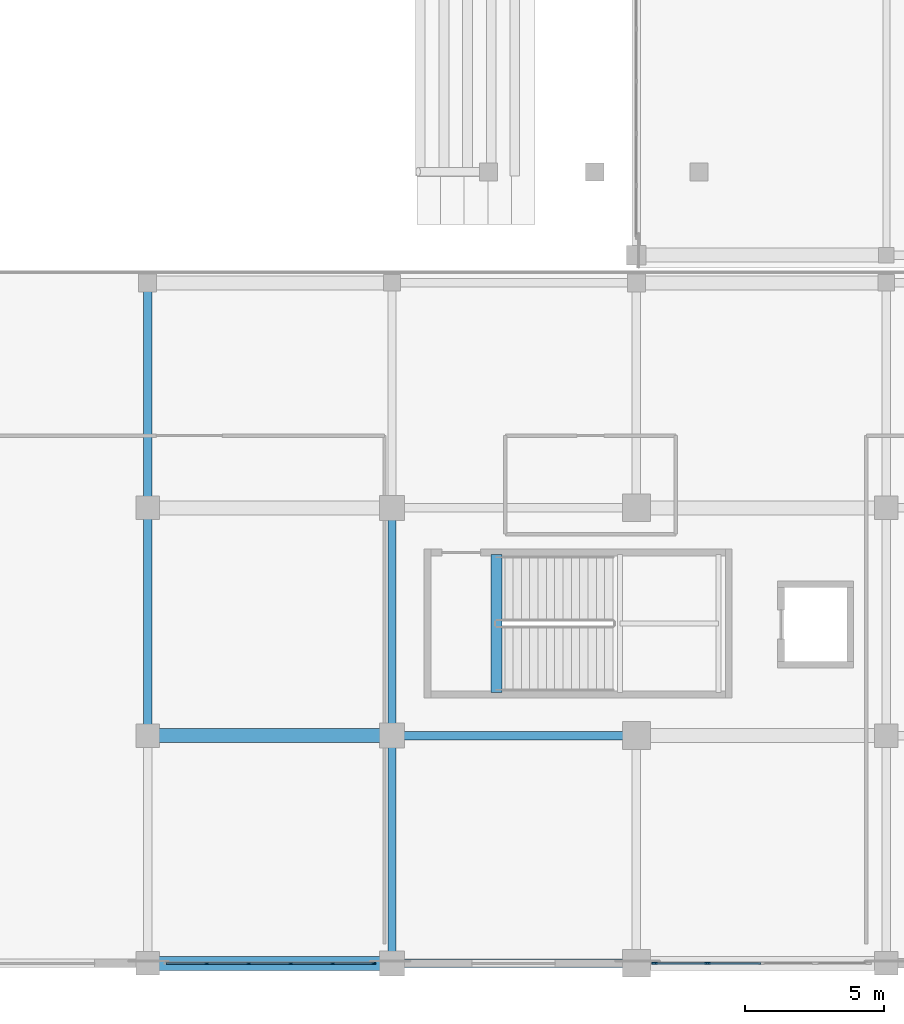
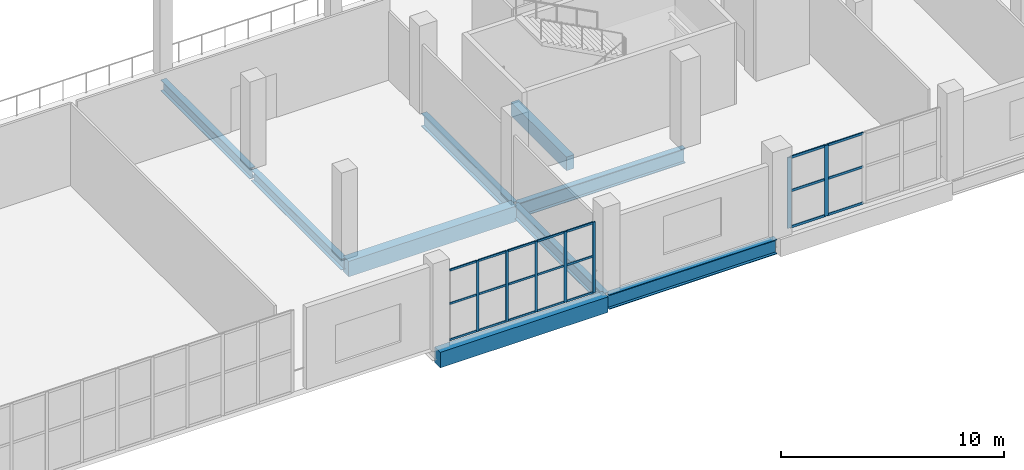
# One storey, part 40 of 142: 28 members, 9 beams, 2 elements without a shape of their own.
"""IFC4 building model written with IfcOpenShell, lengths in metres."""

from ifc_helpers import new_model, si_unit, direction, frame, origin, origin_2d, place, context, subcontext, project, spatial, rectangle, i_section, extrude, material, material_profile, profile_set, type_object, element, aggregate, save


model = new_model("IFC4")

# Units and contexts
model_context = context("Model", 3, precision=1e-05, world=origin(), true_north=direction((0.0, 1.0)))
body_context = subcontext(model_context, "Body", "Model", "MODEL_VIEW")
ifc_project = project(units=[si_unit("LENGTHUNIT", "METRE"), si_unit("AREAUNIT", "SQUARE_METRE"), si_unit("VOLUMEUNIT", "CUBIC_METRE"), si_unit("PLANEANGLEUNIT", "RADIAN"), si_unit("MASSUNIT", "GRAM", prefix="KILO")], contexts=[model_context])

# Site, building, storey
site_placement = place(None, origin())
site = spatial("IfcSite", under=ifc_project, at=site_placement, CompositionType="ELEMENT")
building_placement = place(site_placement, origin())
building = spatial("IfcBuilding", under=site, at=building_placement, Name="Koshinbarg Plaza Stadium", CompositionType="ELEMENT")
storey_placement = place(building_placement, frame((0.0, 0.0, 10.199951171875)))
storey = spatial("IfcBuildingStorey", under=building, at=storey_placement, Name="L02", CompositionType="ELEMENT", Elevation=10.199951171875)

# Beams
ifc_material_1 = material(Name="Concrete C40/50", Category="concrete")
ifc_material_profile_1 = material_profile(ifc_material_1, rectangle(XDim=0.39990234375, YDim=0.75, at=origin_2d()), Name="RC 400x750")
ifc_profile_set_1 = profile_set([ifc_material_profile_1], Name="Concrete C40/50")
beam_type_1 = type_object("IfcBeamType", Name="BM-RCG-03", PredefinedType="USERDEFINED", material=ifc_profile_set_1)
beam_1_placement = place(storey_placement, frame((175.360107421875, 9.75, -0.375), z_axis=(0.0, 1.0, 0.0), x_axis=(-1.0, 0.0, 0.0)))
element("IfcBeam", 1, at=beam_1_placement, inside=storey, type_object=beam_type_1, Name="L02 stair landing header beam C14", ObjectType="GIRDER", PredefinedType="USERDEFINED", context=body_context, shape_type="SweptSolid", body=[
    extrude(rectangle(XDim=0.39990234375, YDim=0.75, at=origin_2d()), origin(), (0.0, 0.0, 1.0), 4.969970703125),
])
ifc_material_profile_2 = material_profile(ifc_material_1, rectangle(XDim=0.5, YDim=0.85009765625, at=origin_2d()), Name="RC 500x850")
ifc_profile_set_2 = profile_set([ifc_material_profile_2], Name="Concrete C40/50")
beam_type_2 = type_object("IfcBeamType", Name="BM-RCG-05", PredefinedType="USERDEFINED", material=ifc_profile_set_2)
for number, where, z_axis, x_axis, name in (
    (2, (162.860107421875, 0.0, -0.724853515625), (1.0, 0.0, 0.0), (0.0, 1.0, 0.0), "L02 X girder A/15-16"),
    (3, (162.860107421875, 8.199951171875, -0.724853515625), (1.0, 0.0, 0.0), (0.0, 1.0, 0.0), "L02 X girder B/15-16"),
):
    element("IfcBeam", number, at=place(storey_placement, frame(where, z_axis=z_axis, x_axis=x_axis)), inside=storey, type_object=beam_type_2, Name=name, ObjectType="GIRDER", PredefinedType="USERDEFINED", context=body_context, shape_type="SweptSolid", body=[
        extrude(rectangle(XDim=0.5, YDim=0.85009765625, at=origin_2d()), origin(), (0.0, 0.0, 1.0), 8.679931640625),
    ])
ifc_material_2 = material(Name="Steel S355", Category="steel")
ifc_material_profile_3 = material_profile(ifc_material_2, i_section(OverallWidth=0.300048828125, OverallDepth=0.60009765625, WebThickness=0.015380859375, FlangeThickness=0.030029296875, at=origin_2d()), Name="HEB 600")
ifc_profile_set_3 = profile_set([ifc_material_profile_3], Name="Steel S355")
beam_type_3 = type_object("IfcBeamType", Name="BM-SGIR-02", PredefinedType="USERDEFINED", material=ifc_profile_set_3)
beam_2_placement = place(storey_placement, frame((162.800048828125, 8.260009765625, -0.599853515625), z_axis=(0.0, 1.0, 0.0), x_axis=(-1.0, 0.0, 0.0)))
element("IfcBeam", 4, at=beam_2_placement, inside=storey, type_object=beam_type_3, Name="L02 Y girder 15/B-C", ObjectType="GIRDER", PredefinedType="USERDEFINED", context=body_context, shape_type="SweptSolid", body=[
    extrude(i_section(OverallWidth=0.300048828125, OverallDepth=0.60009765625, WebThickness=0.015380859375, FlangeThickness=0.030029296875, at=origin_2d()), origin(), (0.0, 0.0, 1.0), 8.080078125),
])
beam_3_placement = place(storey_placement, frame((162.800048828125, 16.4599609375, -0.599853515625), z_axis=(0.0, 1.0, 0.0), x_axis=(-1.0, 0.0, 0.0)))
element("IfcBeam", 5, at=beam_3_placement, inside=storey, type_object=beam_type_3, Name="L02 Y girder 15/C-D", ObjectType="GIRDER", PredefinedType="USERDEFINED", context=body_context, shape_type="SweptSolid", body=[
    extrude(i_section(OverallWidth=0.300048828125, OverallDepth=0.60009765625, WebThickness=0.015380859375, FlangeThickness=0.030029296875, at=origin_2d()), origin(), (0.0, 0.0, 1.0), 7.97998046875),
])
ifc_material_profile_4 = material_profile(ifc_material_2, i_section(OverallWidth=0.300048828125, OverallDepth=0.699951171875, WebThickness=0.01708984375, FlangeThickness=0.031982421875, at=origin_2d()), Name="HEB 700")
ifc_profile_set_4 = profile_set([ifc_material_profile_4], Name="Steel S355")
beam_type_4 = type_object("IfcBeamType", Name="BM-SGIR-03", PredefinedType="USERDEFINED", material=ifc_profile_set_4)
beam_4_placement = place(storey_placement, frame((171.60009765625, 0.06005859375, -0.64990234375), z_axis=(0.0, 1.0, 0.0), x_axis=(-1.0, 0.0, 0.0)))
element("IfcBeam", 6, at=beam_4_placement, inside=storey, type_object=beam_type_4, Name="L02 Y girder 16/A-B", ObjectType="GIRDER", PredefinedType="USERDEFINED", context=body_context, shape_type="SweptSolid", body=[
    extrude(i_section(OverallWidth=0.300048828125, OverallDepth=0.699951171875, WebThickness=0.01708984375, FlangeThickness=0.031982421875, at=origin_2d()), origin(), (0.0, 0.0, 1.0), 8.079833984375),
])
beam_5_placement = place(storey_placement, frame((171.60009765625, 8.260009765625, -0.64990234375), z_axis=(0.0, 1.0, 0.0), x_axis=(-1.0, 0.0, 0.0)))
element("IfcBeam", 7, at=beam_5_placement, inside=storey, type_object=beam_type_4, Name="L02 Y girder 16/B-C", ObjectType="GIRDER", PredefinedType="USERDEFINED", context=body_context, shape_type="SweptSolid", body=[
    extrude(i_section(OverallWidth=0.300048828125, OverallDepth=0.699951171875, WebThickness=0.01708984375, FlangeThickness=0.031982421875, at=origin_2d()), origin(), (0.0, 0.0, 1.0), 8.080078125),
])
ifc_material_profile_5 = material_profile(ifc_material_2, i_section(OverallWidth=0.300048828125, OverallDepth=0.800048828125, WebThickness=0.017578125, FlangeThickness=0.032958984375, at=origin_2d()), Name="HEB 800")
ifc_profile_set_5 = profile_set([ifc_material_profile_5], Name="Steel S355")
beam_type_5 = type_object("IfcBeamType", Name="BM-SGIR-04", PredefinedType="USERDEFINED", material=ifc_profile_set_5)
for number, where, z_axis, x_axis, name in (
    (8, (171.659912109375, 0.0, -0.699951171875), (1.0, 0.0, 0.0), (0.0, 1.0, 0.0), "L02 X girder A/16-17"),
    (9, (171.659912109375, 8.199951171875, -0.699951171875), (1.0, 0.0, 0.0), (0.0, 1.0, 0.0), "L02 X girder B/16-17"),
):
    element("IfcBeam", number, at=place(storey_placement, frame(where, z_axis=z_axis, x_axis=x_axis)), inside=storey, type_object=beam_type_5, Name=name, ObjectType="GIRDER", PredefinedType="USERDEFINED", context=body_context, shape_type="SweptSolid", body=[
        extrude(i_section(OverallWidth=0.300048828125, OverallDepth=0.800048828125, WebThickness=0.017578125, FlangeThickness=0.032958984375, at=origin_2d()), origin(), (0.0, 0.0, 1.0), 8.68017578125),
    ])

# Curtain wall, members
ifc_material_3 = material(Name="Thermally broken anodised aluminium and low-E double glazing", Category="aluminium")
curtain_wall_type_1 = type_object("IfcCurtainWallType", Name="CW-SYS-01", PredefinedType="NOTDEFINED", material=ifc_material_3)
curtain_wall_1_placement = place(storey_placement, origin())
curtain_wall_1 = element("IfcCurtainWall", 10, at=curtain_wall_1_placement, inside=storey, type_object=curtain_wall_type_1, Name="L02 unitised curtain wall CW-L02-064", PredefinedType="NOTDEFINED")
ifc_material_4 = material(Name="Anodised aluminium mullion", Category="aluminium")
ifc_material_profile_6 = material_profile(ifc_material_4, rectangle(XDim=0.06005859375, YDim=0.139892578125, at=origin_2d()), Name="ALU 60x140")
ifc_profile_set_6 = profile_set([ifc_material_profile_6], Name="Anodised aluminium mullion")
member_type_1 = type_object("IfcMemberType", Name="CW-MUL-01", PredefinedType="MULLION", material=ifc_profile_set_6)
member_1_placement = place(storey_placement, frame((170.949951171875, 0.0, 0.0), z_axis=(0.0, 0.0, 1.0), x_axis=(0.0, -1.0, 0.0)))
member_1 = element("IfcMember", 11, at=member_1_placement, type_object=member_type_1, Name="CW01 mullion 1", PredefinedType="MULLION", context=body_context, shape_type="SweptSolid", body=[
    extrude(rectangle(XDim=0.06005859375, YDim=0.139892578125, at=origin_2d()), origin(), (0.0, 0.0, 1.0), 3.860107421875),
])
member_2_placement = place(storey_placement, frame((169.468017578125, 0.0, 0.0), z_axis=(0.0, 0.0, 1.0), x_axis=(0.0, -1.0, 0.0)))
member_2 = element("IfcMember", 12, at=member_2_placement, type_object=member_type_1, Name="CW01 mullion 2", PredefinedType="MULLION", context=body_context, shape_type="SweptSolid", body=[
    extrude(rectangle(XDim=0.06005859375, YDim=0.139892578125, at=origin_2d()), origin(), (0.0, 0.0, 1.0), 3.860107421875),
])
member_3_placement = place(storey_placement, frame((167.9560546875, 0.0, 0.0), z_axis=(0.0, 0.0, 1.0), x_axis=(0.0, -1.0, 0.0)))
member_3 = element("IfcMember", 13, at=member_3_placement, type_object=member_type_1, Name="CW01 mullion 3", PredefinedType="MULLION", context=body_context, shape_type="SweptSolid", body=[
    extrude(rectangle(XDim=0.06005859375, YDim=0.139892578125, at=origin_2d()), origin(), (0.0, 0.0, 1.0), 3.860107421875),
])
member_4_placement = place(storey_placement, frame((166.444091796875, 0.0, 0.0), z_axis=(0.0, 0.0, 1.0), x_axis=(0.0, -1.0, 0.0)))
member_4 = element("IfcMember", 14, at=member_4_placement, type_object=member_type_1, Name="CW01 mullion 4", PredefinedType="MULLION", context=body_context, shape_type="SweptSolid", body=[
    extrude(rectangle(XDim=0.06005859375, YDim=0.139892578125, at=origin_2d()), origin(), (0.0, 0.0, 1.0), 3.860107421875),
])
member_5_placement = place(storey_placement, frame((164.931884765625, 0.0, 0.0), z_axis=(0.0, 0.0, 1.0), x_axis=(0.0, -1.0, 0.0)))
member_5 = element("IfcMember", 15, at=member_5_placement, type_object=member_type_1, Name="CW01 mullion 5", PredefinedType="MULLION", context=body_context, shape_type="SweptSolid", body=[
    extrude(rectangle(XDim=0.06005859375, YDim=0.139892578125, at=origin_2d()), origin(), (0.0, 0.0, 1.0), 3.860107421875),
])

curtain_wall_type_2 = type_object("IfcCurtainWallType", Name="CW-SYS-16", PredefinedType="NOTDEFINED", material=ifc_material_3)
curtain_wall_2_placement = place(storey_placement, origin())
curtain_wall_2 = element("IfcCurtainWall", 16, at=curtain_wall_2_placement, inside=storey, type_object=curtain_wall_type_2, Name="L02 unitised curtain wall CW-L02-063", PredefinedType="NOTDEFINED")
ifc_material_profile_7 = material_profile(ifc_material_4, rectangle(XDim=0.070068359375, YDim=0.199951171875, at=origin_2d()), Name="ALU 70x200")
ifc_profile_set_7 = profile_set([ifc_material_profile_7], Name="Anodised aluminium mullion")
member_type_2 = type_object("IfcMemberType", Name="CW-MUL-04", PredefinedType="MULLION", material=ifc_profile_set_7)
member_6_placement = place(storey_placement, frame((182.9599609375, 0.0, 0.0), z_axis=(0.0, 0.0, 1.0), x_axis=(0.0, -1.0, 0.0)))
member_6 = element("IfcMember", 17, at=member_6_placement, type_object=member_type_2, Name="CW16 mullion 4", PredefinedType="MULLION", context=body_context, shape_type="SweptSolid", body=[
    extrude(rectangle(XDim=0.070068359375, YDim=0.199951171875, at=origin_2d()), origin(), (0.0, 0.0, 1.0), 3.860107421875),
])
member_7_placement = place(storey_placement, frame((181.050048828125, 0.0, 0.0), z_axis=(0.0, 0.0, 1.0), x_axis=(0.0, -1.0, 0.0)))
member_7 = element("IfcMember", 18, at=member_7_placement, type_object=member_type_2, Name="CW16 mullion 5", PredefinedType="MULLION", context=body_context, shape_type="SweptSolid", body=[
    extrude(rectangle(XDim=0.070068359375, YDim=0.199951171875, at=origin_2d()), origin(), (0.0, 0.0, 1.0), 3.860107421875),
])

# Member
ifc_material_5 = material(Name="Anodised aluminium transom", Category="aluminium")
ifc_material_profile_8 = material_profile(ifc_material_5, rectangle(XDim=0.06005859375, YDim=0.110107421875, at=origin_2d()), Name="ALU 60x110")
ifc_profile_set_8 = profile_set([ifc_material_profile_8], Name="Anodised aluminium transom")
member_type_3 = type_object("IfcMemberType", Name="CW-TRN-01", PredefinedType="USERDEFINED", material=ifc_profile_set_8)
member_8_placement = place(storey_placement, frame((170.919921875, 0.0, 0.030029296875), z_axis=(-1.0, 0.0, 0.0), x_axis=(0.0, -1.0, 0.0)))
member_8 = element("IfcMember", 19, at=member_8_placement, type_object=member_type_3, Name="CW01 transom 1.1", ObjectType="TRANSOM", PredefinedType="USERDEFINED", context=body_context, shape_type="SweptSolid", body=[
    extrude(rectangle(XDim=0.06005859375, YDim=0.110107421875, at=origin_2d()), origin(), (0.0, 0.0, 1.0), 1.421875),
])

member_9_placement = place(storey_placement, frame((170.919921875, 0.0, 2.00732421875), z_axis=(-1.0, 0.0, 0.0), x_axis=(0.0, -1.0, 0.0)))
member_9 = element("IfcMember", 20, at=member_9_placement, type_object=member_type_3, Name="CW01 transom 1.2", ObjectType="TRANSOM", PredefinedType="USERDEFINED", context=body_context, shape_type="SweptSolid", body=[
    extrude(rectangle(XDim=0.06005859375, YDim=0.110107421875, at=origin_2d()), origin(), (0.0, 0.0, 1.0), 1.421875),
])

member_10_placement = place(storey_placement, frame((170.919921875, 0.0, 3.830078125), z_axis=(-1.0, 0.0, 0.0), x_axis=(0.0, -1.0, 0.0)))
member_10 = element("IfcMember", 21, at=member_10_placement, type_object=member_type_3, Name="CW01 transom 1.3", ObjectType="TRANSOM", PredefinedType="USERDEFINED", context=body_context, shape_type="SweptSolid", body=[
    extrude(rectangle(XDim=0.06005859375, YDim=0.110107421875, at=origin_2d()), origin(), (0.0, 0.0, 1.0), 1.421875),
])

member_11_placement = place(storey_placement, frame((169.43798828125, 0.0, 0.030029296875), z_axis=(-1.0, 0.0, 0.0), x_axis=(0.0, -1.0, 0.0)))
member_11 = element("IfcMember", 22, at=member_11_placement, type_object=member_type_3, Name="CW01 transom 2.1", ObjectType="TRANSOM", PredefinedType="USERDEFINED", context=body_context, shape_type="SweptSolid", body=[
    extrude(rectangle(XDim=0.06005859375, YDim=0.110107421875, at=origin_2d()), origin(), (0.0, 0.0, 1.0), 1.451904296875),
])

member_12_placement = place(storey_placement, frame((169.43798828125, 0.0, 2.00732421875), z_axis=(-1.0, 0.0, 0.0), x_axis=(0.0, -1.0, 0.0)))
member_12 = element("IfcMember", 23, at=member_12_placement, type_object=member_type_3, Name="CW01 transom 2.2", ObjectType="TRANSOM", PredefinedType="USERDEFINED", context=body_context, shape_type="SweptSolid", body=[
    extrude(rectangle(XDim=0.06005859375, YDim=0.110107421875, at=origin_2d()), origin(), (0.0, 0.0, 1.0), 1.451904296875),
])

member_13_placement = place(storey_placement, frame((169.43798828125, 0.0, 3.830078125), z_axis=(-1.0, 0.0, 0.0), x_axis=(0.0, -1.0, 0.0)))
member_13 = element("IfcMember", 24, at=member_13_placement, type_object=member_type_3, Name="CW01 transom 2.3", ObjectType="TRANSOM", PredefinedType="USERDEFINED", context=body_context, shape_type="SweptSolid", body=[
    extrude(rectangle(XDim=0.06005859375, YDim=0.110107421875, at=origin_2d()), origin(), (0.0, 0.0, 1.0), 1.451904296875),
])

member_14_placement = place(storey_placement, frame((167.926025390625, 0.0, 0.030029296875), z_axis=(-1.0, 0.0, 0.0), x_axis=(0.0, -1.0, 0.0)))
member_14 = element("IfcMember", 25, at=member_14_placement, type_object=member_type_3, Name="CW01 transom 3.1", ObjectType="TRANSOM", PredefinedType="USERDEFINED", context=body_context, shape_type="SweptSolid", body=[
    extrude(rectangle(XDim=0.06005859375, YDim=0.110107421875, at=origin_2d()), origin(), (0.0, 0.0, 1.0), 1.451904296875),
])

member_15_placement = place(storey_placement, frame((167.926025390625, 0.0, 2.00732421875), z_axis=(-1.0, 0.0, 0.0), x_axis=(0.0, -1.0, 0.0)))
member_15 = element("IfcMember", 26, at=member_15_placement, type_object=member_type_3, Name="CW01 transom 3.2", ObjectType="TRANSOM", PredefinedType="USERDEFINED", context=body_context, shape_type="SweptSolid", body=[
    extrude(rectangle(XDim=0.06005859375, YDim=0.110107421875, at=origin_2d()), origin(), (0.0, 0.0, 1.0), 1.451904296875),
])

member_16_placement = place(storey_placement, frame((167.926025390625, 0.0, 3.830078125), z_axis=(-1.0, 0.0, 0.0), x_axis=(0.0, -1.0, 0.0)))
member_16 = element("IfcMember", 27, at=member_16_placement, type_object=member_type_3, Name="CW01 transom 3.3", ObjectType="TRANSOM", PredefinedType="USERDEFINED", context=body_context, shape_type="SweptSolid", body=[
    extrude(rectangle(XDim=0.06005859375, YDim=0.110107421875, at=origin_2d()), origin(), (0.0, 0.0, 1.0), 1.451904296875),
])

member_17_placement = place(storey_placement, frame((166.4140625, 0.0, 0.030029296875), z_axis=(-1.0, 0.0, 0.0), x_axis=(0.0, -1.0, 0.0)))
member_17 = element("IfcMember", 28, at=member_17_placement, type_object=member_type_3, Name="CW01 transom 4.1", ObjectType="TRANSOM", PredefinedType="USERDEFINED", context=body_context, shape_type="SweptSolid", body=[
    extrude(rectangle(XDim=0.06005859375, YDim=0.110107421875, at=origin_2d()), origin(), (0.0, 0.0, 1.0), 1.4521484375),
])

member_18_placement = place(storey_placement, frame((166.4140625, 0.0, 2.00732421875), z_axis=(-1.0, 0.0, 0.0), x_axis=(0.0, -1.0, 0.0)))
member_18 = element("IfcMember", 29, at=member_18_placement, type_object=member_type_3, Name="CW01 transom 4.2", ObjectType="TRANSOM", PredefinedType="USERDEFINED", context=body_context, shape_type="SweptSolid", body=[
    extrude(rectangle(XDim=0.06005859375, YDim=0.110107421875, at=origin_2d()), origin(), (0.0, 0.0, 1.0), 1.4521484375),
])

member_19_placement = place(storey_placement, frame((166.4140625, 0.0, 3.830078125), z_axis=(-1.0, 0.0, 0.0), x_axis=(0.0, -1.0, 0.0)))
member_19 = element("IfcMember", 30, at=member_19_placement, type_object=member_type_3, Name="CW01 transom 4.3", ObjectType="TRANSOM", PredefinedType="USERDEFINED", context=body_context, shape_type="SweptSolid", body=[
    extrude(rectangle(XDim=0.06005859375, YDim=0.110107421875, at=origin_2d()), origin(), (0.0, 0.0, 1.0), 1.4521484375),
])

member_20_placement = place(storey_placement, frame((164.902099609375, 0.0, 0.030029296875), z_axis=(-1.0, 0.0, 0.0), x_axis=(0.0, -1.0, 0.0)))
member_20 = element("IfcMember", 31, at=member_20_placement, type_object=member_type_3, Name="CW01 transom 5.1", ObjectType="TRANSOM", PredefinedType="USERDEFINED", context=body_context, shape_type="SweptSolid", body=[
    extrude(rectangle(XDim=0.06005859375, YDim=0.110107421875, at=origin_2d()), origin(), (0.0, 0.0, 1.0), 1.422119140625),
])

member_21_placement = place(storey_placement, frame((164.902099609375, 0.0, 2.00732421875), z_axis=(-1.0, 0.0, 0.0), x_axis=(0.0, -1.0, 0.0)))
member_21 = element("IfcMember", 32, at=member_21_placement, type_object=member_type_3, Name="CW01 transom 5.2", ObjectType="TRANSOM", PredefinedType="USERDEFINED", context=body_context, shape_type="SweptSolid", body=[
    extrude(rectangle(XDim=0.06005859375, YDim=0.110107421875, at=origin_2d()), origin(), (0.0, 0.0, 1.0), 1.422119140625),
])

member_22_placement = place(storey_placement, frame((164.902099609375, 0.0, 3.830078125), z_axis=(-1.0, 0.0, 0.0), x_axis=(0.0, -1.0, 0.0)))
member_22 = element("IfcMember", 33, at=member_22_placement, type_object=member_type_3, Name="CW01 transom 5.3", ObjectType="TRANSOM", PredefinedType="USERDEFINED", context=body_context, shape_type="SweptSolid", body=[
    extrude(rectangle(XDim=0.06005859375, YDim=0.110107421875, at=origin_2d()), origin(), (0.0, 0.0, 1.0), 1.422119140625),
])

aggregate(curtain_wall_1, [member_1, member_2, member_3, member_4, member_5, member_8, member_9, member_10, member_11, member_12, member_13, member_14, member_15, member_16, member_17, member_18, member_19, member_20, member_21, member_22])

ifc_material_profile_9 = material_profile(ifc_material_5, rectangle(XDim=0.06005859375, YDim=0.1298828125, at=origin_2d()), Name="ALU 60x130")
ifc_profile_set_9 = profile_set([ifc_material_profile_9], Name="Anodised aluminium transom")
member_type_4 = type_object("IfcMemberType", Name="CW-TRN-02", PredefinedType="USERDEFINED", material=ifc_profile_set_9)
member_23_placement = place(storey_placement, frame((184.8701171875, 0.0, 0.030029296875), z_axis=(-1.0, 0.0, 0.0), x_axis=(0.0, -1.0, 0.0)))
member_23 = element("IfcMember", 34, at=member_23_placement, type_object=member_type_4, Name="CW16 transom 3.1", ObjectType="TRANSOM", PredefinedType="USERDEFINED", context=body_context, shape_type="SweptSolid", body=[
    extrude(rectangle(XDim=0.06005859375, YDim=0.1298828125, at=origin_2d()), origin(), (0.0, 0.0, 1.0), 1.880126953125),
])

member_24_placement = place(storey_placement, frame((184.8701171875, 0.0, 2.00732421875), z_axis=(-1.0, 0.0, 0.0), x_axis=(0.0, -1.0, 0.0)))
member_24 = element("IfcMember", 35, at=member_24_placement, type_object=member_type_4, Name="CW16 transom 3.2", ObjectType="TRANSOM", PredefinedType="USERDEFINED", context=body_context, shape_type="SweptSolid", body=[
    extrude(rectangle(XDim=0.06005859375, YDim=0.1298828125, at=origin_2d()), origin(), (0.0, 0.0, 1.0), 1.880126953125),
])

member_25_placement = place(storey_placement, frame((184.8701171875, 0.0, 3.830078125), z_axis=(-1.0, 0.0, 0.0), x_axis=(0.0, -1.0, 0.0)))
member_25 = element("IfcMember", 36, at=member_25_placement, type_object=member_type_4, Name="CW16 transom 3.3", ObjectType="TRANSOM", PredefinedType="USERDEFINED", context=body_context, shape_type="SweptSolid", body=[
    extrude(rectangle(XDim=0.06005859375, YDim=0.1298828125, at=origin_2d()), origin(), (0.0, 0.0, 1.0), 1.880126953125),
])

member_26_placement = place(storey_placement, frame((182.929931640625, 0.0, 0.030029296875), z_axis=(-1.0, 0.0, 0.0), x_axis=(0.0, -1.0, 0.0)))
member_26 = element("IfcMember", 37, at=member_26_placement, type_object=member_type_4, Name="CW16 transom 4.1", ObjectType="TRANSOM", PredefinedType="USERDEFINED", context=body_context, shape_type="SweptSolid", body=[
    extrude(rectangle(XDim=0.06005859375, YDim=0.1298828125, at=origin_2d()), origin(), (0.0, 0.0, 1.0), 1.849853515625),
])

member_27_placement = place(storey_placement, frame((182.929931640625, 0.0, 2.00732421875), z_axis=(-1.0, 0.0, 0.0), x_axis=(0.0, -1.0, 0.0)))
member_27 = element("IfcMember", 38, at=member_27_placement, type_object=member_type_4, Name="CW16 transom 4.2", ObjectType="TRANSOM", PredefinedType="USERDEFINED", context=body_context, shape_type="SweptSolid", body=[
    extrude(rectangle(XDim=0.06005859375, YDim=0.1298828125, at=origin_2d()), origin(), (0.0, 0.0, 1.0), 1.849853515625),
])

member_28_placement = place(storey_placement, frame((182.929931640625, 0.0, 3.830078125), z_axis=(-1.0, 0.0, 0.0), x_axis=(0.0, -1.0, 0.0)))
member_28 = element("IfcMember", 39, at=member_28_placement, type_object=member_type_4, Name="CW16 transom 4.3", ObjectType="TRANSOM", PredefinedType="USERDEFINED", context=body_context, shape_type="SweptSolid", body=[
    extrude(rectangle(XDim=0.06005859375, YDim=0.1298828125, at=origin_2d()), origin(), (0.0, 0.0, 1.0), 1.849853515625),
])

aggregate(curtain_wall_2, [member_6, member_7, member_23, member_24, member_25, member_26, member_27, member_28])

save(model, "model.ifc")
